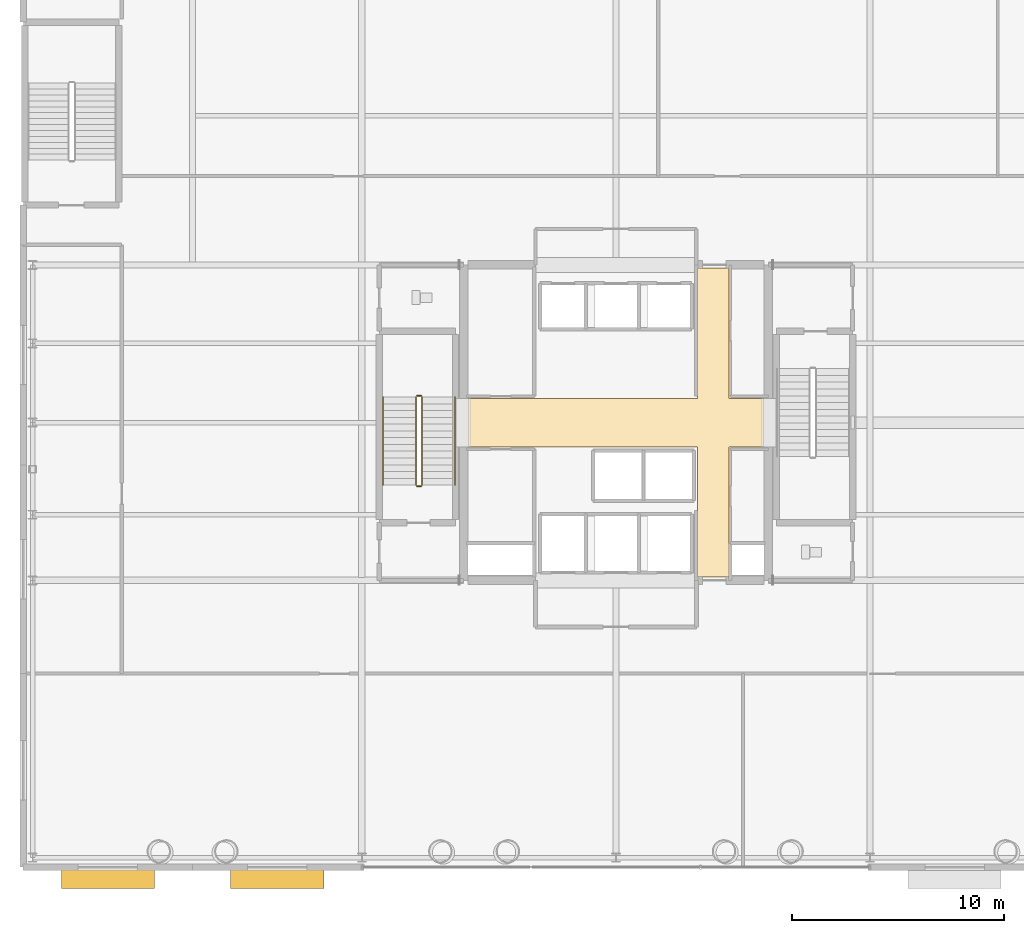
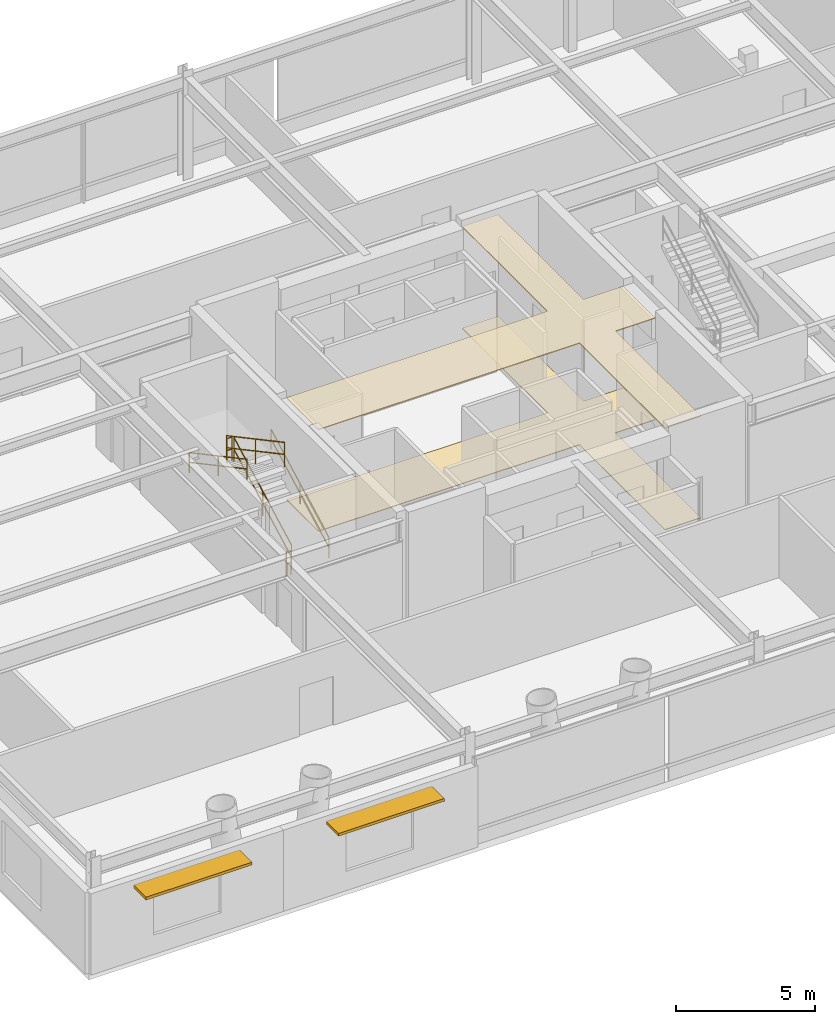
# One storey, part 23 of 26: 6 railings, 2 coverings, 2 shading devices.
"""IFC4 building model written with IfcOpenShell, lengths in metres."""

from ifc_helpers import new_model, si_unit, direction, frame, origin, origin_2d, place, context, subcontext, project, spatial, polyline, rectangle, circle, outline, extrude, material, layer, layer_set, type_object, element, save


model = new_model("IFC4")

# Units and contexts
model_context = context("Model", 3, precision=1e-05, world=origin(), true_north=direction((0.0, 1.0)))
body_context = subcontext(model_context, "Body", "Model", "MODEL_VIEW")
ifc_project = project(units=[si_unit("LENGTHUNIT", "METRE"), si_unit("AREAUNIT", "SQUARE_METRE"), si_unit("VOLUMEUNIT", "CUBIC_METRE"), si_unit("PLANEANGLEUNIT", "RADIAN"), si_unit("MASSUNIT", "GRAM", prefix="KILO")], contexts=[model_context])

# Site, building, storey
site_placement = place(None, origin())
site = spatial("IfcSite", under=ifc_project, at=site_placement, CompositionType="ELEMENT")
building_placement = place(site_placement, origin())
building = spatial("IfcBuilding", under=site, at=building_placement, Name="Veldorina Hangang Commons", CompositionType="ELEMENT")
storey_placement = place(building_placement, frame((0.0, 0.0, 5.199951171875)))
storey = spatial("IfcBuildingStorey", under=building, at=storey_placement, Name="L01", CompositionType="ELEMENT", Elevation=5.199951171875)

# Coverings
ifc_material_1 = material(Name="Mineral Fibre Acoustic Tile", Category="gypsum")
ifc_layer_1 = layer(ifc_material_1, 0.0400390625)
ifc_layer_set_1 = layer_set([ifc_layer_1], Name="Mineral Fibre Acoustic Tile")
covering_type_1 = type_object("IfcCoveringType", Name="COV-CEIL-AC60", PredefinedType="CEILING", material=ifc_layer_set_1)
covering_1_placement = place(storey_placement, frame((0.0, 0.0, 4.4599609375)))
element("IfcCovering", 1, at=covering_1_placement, inside=storey, type_object=covering_type_1, Name="L01 lobby suspended acoustic ceiling", PredefinedType="CEILING", context=body_context, shape_type="SweptSolid", body=[
    extrude(outline(polyline([(25.0, 22.85009765625), (35.85009765625, 22.85009765625), (35.85009765625, 16.699951171875), (37.35009765625, 16.699951171875), (37.35009765625, 22.85009765625), (39.0, 22.85009765625), (39.0, 25.14990234375), (37.35009765625, 25.14990234375), (37.35009765625, 31.300048828125), (35.85009765625, 31.300048828125), (35.85009765625, 25.14990234375), (25.0, 25.14990234375), (25.0, 22.85009765625)])), origin(), (0.0, 0.0, 1.0), 0.0400390625),
])
ifc_material_2 = material(Name="Stone Venetian Terrazzo", Category="masonry")
ifc_layer_2 = layer(ifc_material_2, 0.030029296875)
ifc_layer_set_2 = layer_set([ifc_layer_2], Name="Stone Venetian Terrazzo")
covering_type_2 = type_object("IfcCoveringType", Name="COV-FLR-TERZ", PredefinedType="FLOORING", material=ifc_layer_set_2)
covering_2_placement = place(storey_placement, origin())
element("IfcCovering", 2, at=covering_2_placement, inside=storey, type_object=covering_type_2, Name="L01 lobby terrazzo floor finish", PredefinedType="FLOORING", context=body_context, shape_type="SweptSolid", body=[
    extrude(outline(polyline([(25.0, 22.85009765625), (35.85009765625, 22.85009765625), (35.85009765625, 16.699951171875), (37.35009765625, 16.699951171875), (37.35009765625, 22.85009765625), (39.0, 22.85009765625), (39.0, 25.14990234375), (37.35009765625, 25.14990234375), (37.35009765625, 31.300048828125), (35.85009765625, 31.300048828125), (35.85009765625, 25.14990234375), (25.0, 25.14990234375), (25.0, 22.85009765625)])), origin(), (0.0, 0.0, 1.0), 0.030029296875),
])

# Railings
ifc_material_3 = material(Name="Steel Painted Balustrade", Category="steel")
railing_type_1 = type_object("IfcRailingType", Name="RL-GRD-STAIR", PredefinedType="GUARDRAIL", material=ifc_material_3)
railing_1_placement = place(storey_placement, frame((22.85009765625, 21.050048828125, 0.17138671875)))
element("IfcRailing", 3, at=railing_1_placement, inside=storey, type_object=railing_type_1, Name="L01 ST-1 stair guard 1", PredefinedType="GUARDRAIL", context=body_context, shape_type="SweptSolid", body=[
    extrude(circle(Radius=0.02392578125, at=origin_2d()), frame((0.0, 0.0, 1.076171875), z_axis=(0.0, 0.881459204653, 0.472260172503), x_axis=(-1.0, 0.0, 0.0)), (0.0, 0.0, 1.0), 4.71923828125),
    extrude(circle(Radius=0.02392578125, at=origin_2d()), frame((0.0, 0.0, 0.550048828125), z_axis=(0.0, 0.881459204653, 0.472260172503), x_axis=(-1.0, 0.0, 0.0)), (0.0, 0.0, 1.0), 4.71923828125),
    extrude(circle(Radius=0.02099609375, at=origin_2d()), origin(), (0.0, 0.0, 1.0), 1.052001953125),
    extrude(circle(Radius=0.02099609375, at=origin_2d()), frame((0.0, 2.080078125, 1.1142578125)), (0.0, 0.0, 1.0), 1.052001953125),
    extrude(circle(Radius=0.02099609375, at=origin_2d()), frame((0.0, 4.159912109375, 2.228759765625)), (0.0, 0.0, 1.0), 1.052001953125),
])
railing_2_placement = place(storey_placement, frame((22.800048828125, 25.260009765625, 2.400146484375)))
element("IfcRailing", 4, at=railing_2_placement, inside=storey, type_object=railing_type_1, Name="L01 ST-1 stair guard 2", PredefinedType="GUARDRAIL", context=body_context, shape_type="SweptSolid", body=[
    extrude(circle(Radius=0.02392578125, at=origin_2d()), frame((0.0, 0.0, 1.076171875), z_axis=(-1.0, 0.0, 0.0), x_axis=(0.0, -1.0, 0.0)), (0.0, 0.0, 1.0), 0.199951171875),
    extrude(circle(Radius=0.02392578125, at=origin_2d()), frame((0.0, 0.0, 0.550048828125), z_axis=(-1.0, 0.0, 0.0), x_axis=(0.0, -1.0, 0.0)), (0.0, 0.0, 1.0), 0.199951171875),
    extrude(circle(Radius=0.02099609375, at=origin_2d()), origin(), (0.0, 0.0, 1.0), 1.052001953125),
    extrude(circle(Radius=0.02099609375, at=origin_2d()), frame((-0.199951171875, 0.0, 0.0)), (0.0, 0.0, 1.0), 1.052001953125),
])
railing_3_placement = place(storey_placement, frame((22.550048828125, 25.2099609375, 2.571533203125)))
element("IfcRailing", 5, at=railing_3_placement, inside=storey, type_object=railing_type_1, Name="L01 ST-1 stair guard 3", PredefinedType="GUARDRAIL", context=body_context, shape_type="SweptSolid", body=[
    extrude(circle(Radius=0.02392578125, at=origin_2d()), frame((0.0, 0.0, 1.076171875), z_axis=(0.0, -0.881480739103, 0.472219976908), x_axis=(1.0, 0.0, 0.0)), (0.0, 0.0, 1.0), 4.71923828125),
    extrude(circle(Radius=0.02392578125, at=origin_2d()), frame((0.0, 0.0, 0.550048828125), z_axis=(0.0, -0.881480739103, 0.472219976908), x_axis=(1.0, 0.0, 0.0)), (0.0, 0.0, 1.0), 4.71923828125),
    extrude(circle(Radius=0.02099609375, at=origin_2d()), origin(), (0.0, 0.0, 1.0), 1.052001953125),
    extrude(circle(Radius=0.02099609375, at=origin_2d()), frame((0.0, -2.080078125, 1.1142578125)), (0.0, 0.0, 1.0), 1.052001953125),
    extrude(circle(Radius=0.02099609375, at=origin_2d()), frame((0.0, -4.159912109375, 2.228515625)), (0.0, 0.0, 1.0), 1.052001953125),
])
railing_4_placement = place(storey_placement, frame((22.800048828125, 21.0, 0.0)))
element("IfcRailing", 6, at=railing_4_placement, inside=storey, type_object=railing_type_1, Name="L01 ST-1 stair guard 4", PredefinedType="GUARDRAIL", context=body_context, shape_type="SweptSolid", body=[
    extrude(circle(Radius=0.02392578125, at=origin_2d()), frame((0.0, 0.0, 1.076171875), z_axis=(-1.0, 0.0, 0.0), x_axis=(0.0, -1.0, 0.0)), (0.0, 0.0, 1.0), 0.199951171875),
    extrude(circle(Radius=0.02392578125, at=origin_2d()), frame((0.0, 0.0, 0.550048828125), z_axis=(-1.0, 0.0, 0.0), x_axis=(0.0, -1.0, 0.0)), (0.0, 0.0, 1.0), 0.199951171875),
    extrude(circle(Radius=0.02099609375, at=origin_2d()), origin(), (0.0, 0.0, 1.0), 1.052001953125),
    extrude(circle(Radius=0.02099609375, at=origin_2d()), frame((-0.199951171875, 0.0, 0.0)), (0.0, 0.0, 1.0), 1.052001953125),
])
ifc_material_4 = material(Name="Stainless Steel Brushed 316", Category="steel")
railing_type_2 = type_object("IfcRailingType", Name="RL-HND-STAIR", PredefinedType="HANDRAIL", material=ifc_material_4)
railing_5_placement = place(storey_placement, frame((24.39990234375, 21.050048828125, 0.17138671875)))
element("IfcRailing", 7, at=railing_5_placement, inside=storey, type_object=railing_type_2, Name="L01 ST-1 stair handrail 1", PredefinedType="HANDRAIL", context=body_context, shape_type="SweptSolid", body=[
    extrude(circle(Radius=0.02392578125, at=origin_2d()), frame((0.0, 0.0, 0.8759765625), z_axis=(0.0, 0.881459204653, 0.472260172503), x_axis=(-1.0, 0.0, 0.0)), (0.0, 0.0, 1.0), 4.71923828125),
    extrude(circle(Radius=0.02392578125, at=origin_2d()), frame((0.0, 0.0, 0.449951171875), z_axis=(0.0, 0.881459204653, 0.472260172503), x_axis=(-1.0, 0.0, 0.0)), (0.0, 0.0, 1.0), 4.71923828125),
    extrude(circle(Radius=0.02099609375, at=origin_2d()), origin(), (0.0, 0.0, 1.0), 0.851806640625),
    extrude(circle(Radius=0.02099609375, at=origin_2d()), frame((0.0, 2.080078125, 1.1142578125)), (0.0, 0.0, 1.0), 0.851806640625),
    extrude(circle(Radius=0.02099609375, at=origin_2d()), frame((0.0, 4.159912109375, 2.228759765625)), (0.0, 0.0, 1.0), 0.851806640625),
])
railing_6_placement = place(storey_placement, frame((21.0, 25.2099609375, 2.571533203125)))
element("IfcRailing", 8, at=railing_6_placement, inside=storey, type_object=railing_type_2, Name="L01 ST-1 stair handrail 2", PredefinedType="HANDRAIL", context=body_context, shape_type="SweptSolid", body=[
    extrude(circle(Radius=0.02392578125, at=origin_2d()), frame((0.0, 0.0, 0.8759765625), z_axis=(0.0, -0.881480739103, 0.472219976908), x_axis=(1.0, 0.0, 0.0)), (0.0, 0.0, 1.0), 4.71923828125),
    extrude(circle(Radius=0.02392578125, at=origin_2d()), frame((0.0, 0.0, 0.449951171875), z_axis=(0.0, -0.881480739103, 0.472219976908), x_axis=(1.0, 0.0, 0.0)), (0.0, 0.0, 1.0), 4.71923828125),
    extrude(circle(Radius=0.02099609375, at=origin_2d()), origin(), (0.0, 0.0, 1.0), 0.851806640625),
    extrude(circle(Radius=0.02099609375, at=origin_2d()), frame((0.0, -2.080078125, 1.1142578125)), (0.0, 0.0, 1.0), 0.851806640625),
    extrude(circle(Radius=0.02099609375, at=origin_2d()), frame((0.0, -4.159912109375, 2.228515625)), (0.0, 0.0, 1.0), 0.851806640625),
])

# Shading devices
ifc_material_5 = material(Name="Stone Roman Travertine", Category="masonry")
ifc_layer_3 = layer(ifc_material_5, 0.1201171875)
ifc_layer_set_3 = layer_set([ifc_layer_3], Name="Stone Roman Travertine")
shading_device_type = type_object("IfcShadingDeviceType", Name="SHD-POD-4000", PredefinedType="USERDEFINED", material=ifc_layer_set_3)
for number, where, z_axis, x_axis, name in (
    (9, (8.0, 2.449951171875, 3.18994140625), (0.0, 0.0, 1.0), (1.0, 0.0, 0.0), "L01 south travertine sunshade S1"),
    (10, (16.0, 2.449951171875, 3.18994140625), (0.0, 0.0, 1.0), (1.0, 0.0, 0.0), "L01 south travertine sunshade S2"),
):
    element("IfcShadingDevice", number, at=place(storey_placement, frame(where, z_axis=z_axis, x_axis=x_axis)), inside=storey, type_object=shading_device_type, Name=name, ObjectType="SUNSHADE", PredefinedType="USERDEFINED", context=body_context, shape_type="SweptSolid", body=[
        extrude(rectangle(XDim=4.39990234375, YDim=0.89990234375, at=origin_2d()), origin(), (0.0, 0.0, 1.0), 0.1201171875),
    ])

save(model, "model.ifc")
